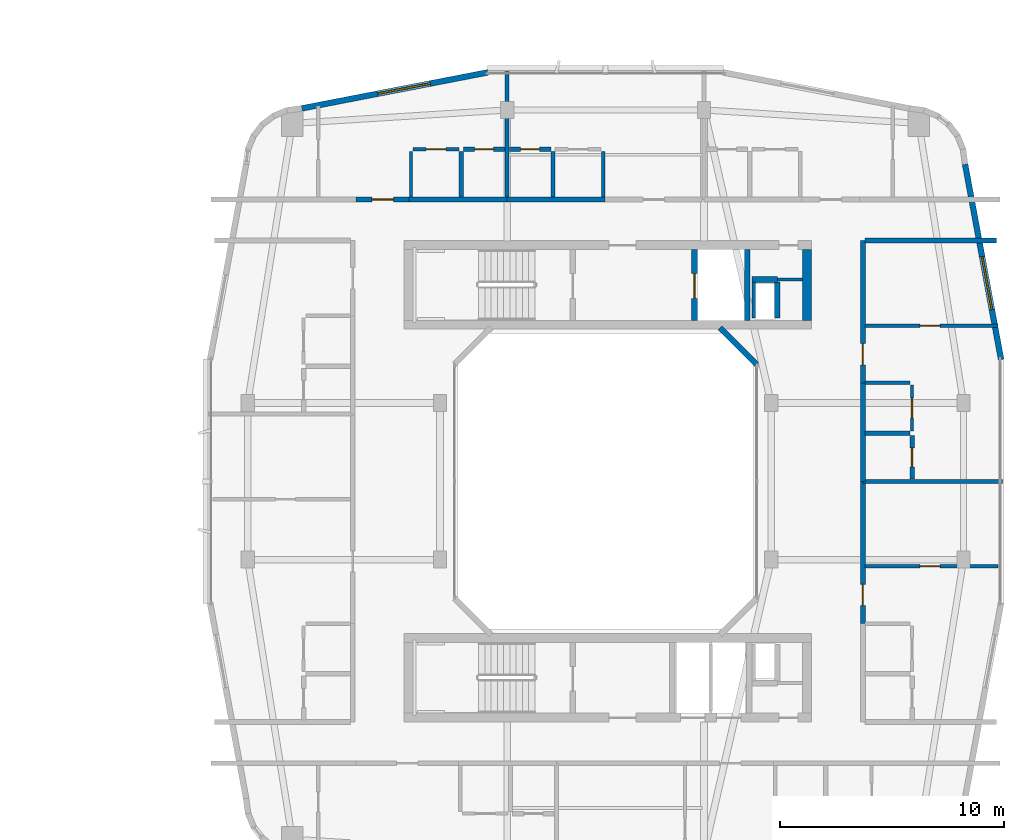
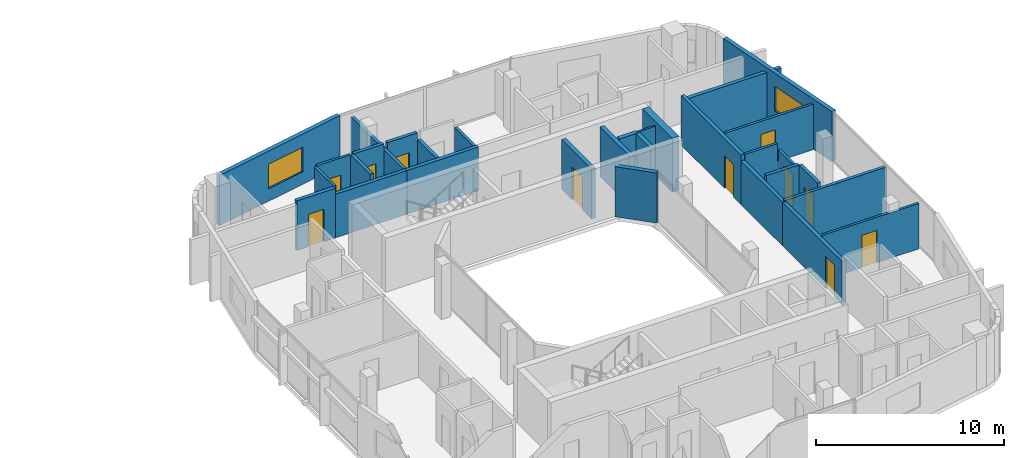
# One storey, part 19 of 26: 32 walls, 11 doors, 2 windows, 13 openings.
"""IFC4 building model written with IfcOpenShell, lengths in metres."""

import ifcopenshell
import ifcopenshell.guid

model = None  # the IFC model being written
_history = None  # IfcOwnerHistory: only IFC2X3 demands one
_inside = {}  # id of a spatial element -> (the spatial element, [elements in it])
_under = {}  # id of a project, library or spatial element -> (it, [spatial elements below it])
_declared = {}  # id of a project -> (the project, [libraries it declares])
_typed = {}  # id of a type object -> (the type object, [elements of that type])
_made_of = {}  # id of a material, layer set ... -> (it, [elements and type objects made of it])


def new_model(schema):
    """Start an empty IFC model of exactly this schema.

    Asked for "IFC4X3", IfcOpenShell would pick the latest addendum, in which some entities
    have other attributes; the version numbers below select the first issue.
    IFC2X3 requires an IfcOwnerHistory on every rooted entity: one is made here for all.
    """
    global model, _history
    if schema == "IFC4X3":
        model = ifcopenshell.file(schema_version=(4, 3, 0, 0))
    else:
        model = ifcopenshell.file(schema=schema)
    _inside.clear()
    _under.clear()
    _declared.clear()
    _typed.clear()
    _made_of.clear()
    _history = None
    if model.schema == "IFC2X3":
        org = make("IfcOrganization", Name="unknown")
        user = make(
            "IfcPersonAndOrganization",
            ThePerson=make("IfcPerson", FamilyName="unknown"),
            TheOrganization=org,
        )
        app = make(
            "IfcApplication",
            ApplicationDeveloper=org,
            Version="unknown",
            ApplicationFullName="unknown",
            ApplicationIdentifier="unknown",
        )
        _history = make(
            "IfcOwnerHistory",
            OwningUser=user,
            OwningApplication=app,
            ChangeAction="ADDED",
            CreationDate=0,
        )
    return model


def make(cls, **values):
    """One entity of the class cls with the attributes given. An attribute that is None is left unset."""
    return model.create_entity(
        cls, **{name: value for name, value in values.items() if value is not None}
    )


def rooted(cls, **values):
    """An entity with a GlobalId (a new one), such as an element, a storey or a relation."""
    return make(cls, GlobalId=ifcopenshell.guid.new(), OwnerHistory=_history, **values)


def si_unit(unit_type, name, prefix=None):
    """IfcSIUnit, for example si_unit("LENGTHUNIT", "METRE", prefix="MILLI")."""
    return make("IfcSIUnit", UnitType=unit_type, Prefix=prefix, Name=name)


def derived_unit(unit_type, elements):
    """IfcDerivedUnit: a product of units, each with its exponent."""
    return make(
        "IfcDerivedUnit",
        Elements=[
            make("IfcDerivedUnitElement", Unit=unit, Exponent=power)
            for unit, power in elements
        ],
        UnitType=unit_type,
    )


def assignment(units):
    """IfcUnitAssignment: the units of a project."""
    return None if units is None else make("IfcUnitAssignment", Units=units)


def point(xyz):
    """IfcCartesianPoint."""
    return None if xyz is None else make("IfcCartesianPoint", Coordinates=xyz)


def direction(xyz):
    """IfcDirection."""
    return None if xyz is None else make("IfcDirection", DirectionRatios=xyz)


def frame(location, z_axis=None, x_axis=None):
    """IfcAxis2Placement3D, a coordinate frame: its origin and axes. An axis left out is left unset."""
    return make(
        "IfcAxis2Placement3D",
        Location=point(location),
        Axis=direction(z_axis),
        RefDirection=direction(x_axis),
    )


def frame_2d(location, x_axis=None):
    """IfcAxis2Placement2D, a coordinate frame in the plane: its origin and x axis."""
    return make(
        "IfcAxis2Placement2D", Location=point(location), RefDirection=direction(x_axis)
    )


def origin():
    """The frame at (0, 0, 0) with its axes left unset."""
    return frame((0.0, 0.0, 0.0))


def place(relative_to, where):
    """IfcLocalPlacement: puts the frame where relative to a parent placement (None: the world)."""
    return make(
        "IfcLocalPlacement", PlacementRelTo=relative_to, RelativePlacement=where
    )


def context(
    kind, dimensions, precision=None, world=None, true_north=None, identifier=None
):
    """IfcGeometricRepresentationContext, for example the 3D "Model" context."""
    return make(
        "IfcGeometricRepresentationContext",
        ContextIdentifier=identifier,
        ContextType=kind,
        CoordinateSpaceDimension=dimensions,
        Precision=precision,
        WorldCoordinateSystem=world,
        TrueNorth=true_north,
    )


def subcontext(parent, identifier, kind, view, scale=None):
    """IfcGeometricRepresentationSubContext, for example "Body" below "Model"."""
    return make(
        "IfcGeometricRepresentationSubContext",
        ContextIdentifier=identifier,
        ContextType=kind,
        ParentContext=parent,
        TargetScale=scale,
        TargetView=view,
    )


def project(units=None, contexts=None):
    """IfcProject with its units and contexts."""
    return rooted(
        "IfcProject",
        Name="project",
        RepresentationContexts=contexts,
        UnitsInContext=assignment(units),
    )


def spatial(cls, under=None, at=None, **own):
    """A site, building, storey or space (cls), placed at a placement, below another one or the project."""
    s = rooted(cls, ObjectPlacement=at, **own)
    if under is not None:
        _under.setdefault(under.id(), (under, []))[1].append(s)
    return s


def profile(cls, at=None, kind="AREA", **sizes):
    """A parametric profile (cls). Its sizes go by their IFC names, for example OverallWidth=200.0."""
    return make(cls, ProfileType=kind, Position=at, **sizes)


def rectangle(**sizes):
    """IfcRectangleProfileDef."""
    return profile("IfcRectangleProfileDef", **sizes)


def extrude(swept, where, along, depth):
    """IfcExtrudedAreaSolid: the profile swept, set in the frame where, extruded along a direction by depth."""
    return make(
        "IfcExtrudedAreaSolid",
        SweptArea=swept,
        Position=where,
        ExtrudedDirection=direction(along),
        Depth=depth,
    )


def shape(context_of_items, identifier, shape_type, items):
    """IfcShapeRepresentation: the items that make up one representation, for example the "Body"."""
    return make(
        "IfcShapeRepresentation",
        ContextOfItems=context_of_items,
        RepresentationIdentifier=identifier,
        RepresentationType=shape_type,
        Items=items,
    )


def material(Name=None, Category=None):
    """IfcMaterial."""
    return make("IfcMaterial", Name=Name, Category=Category)


def layer(
    of_material, thickness, ventilated=None, Name=None, Category=None, Priority=None
):
    """IfcMaterialLayer: one layer of a wall or slab, of a material (None: an air gap)."""
    return make(
        "IfcMaterialLayer",
        Material=of_material,
        LayerThickness=thickness,
        IsVentilated=ventilated,
        Name=Name,
        Category=Category,
        Priority=Priority,
    )


def layer_set(layers, Name=None):
    """IfcMaterialLayerSet."""
    return make("IfcMaterialLayerSet", MaterialLayers=layers, LayerSetName=Name)


def made_of(thing, what):
    """Note that an element or type object is made of a material, layer set ...; save() writes the relation."""
    if what is not None:
        _made_of.setdefault(what.id(), (what, []))[1].append(thing)
    return thing


def type_object(cls, material=None, **own):
    """A type object (cls), such as IfcWallType, which elements share."""
    return made_of(rooted(cls, **own), material)


def element(
    cls,
    number,
    at=None,
    inside=None,
    cuts=None,
    type_object=None,
    material=None,
    context=None,
    identifier="Body",
    shape_type=None,
    held_by="IfcProductDefinitionShape",
    body=None,
    shapes=None,
    **own,
):
    """One element of the class cls, such as IfcWall. Its Tag is "e" and its number.

    at: its placement. inside: the storey or other place that contains it. cuts: it is an
    opening in that element (IfcRelVoidsElement). A single representation is given by context,
    identifier, shape_type and body (its items); several are given by shapes. held_by: the class
    of the entity that holds the representations. save() writes the other relations.
    """
    e = rooted(cls, Tag="e%d" % number, ObjectPlacement=at, **own)
    if body is not None:
        shapes = [shape(context, identifier, shape_type, body)]
    if shapes is not None:
        e.Representation = make(held_by, Representations=shapes)
    if inside is not None:
        _inside.setdefault(inside.id(), (inside, []))[1].append(e)
    if cuts is not None:
        rooted(
            "IfcRelVoidsElement", RelatingBuildingElement=cuts, RelatedOpeningElement=e
        )
    if type_object is not None:
        _typed.setdefault(type_object.id(), (type_object, []))[1].append(e)
    return made_of(e, material)


def fill(opening, filler):
    """IfcRelFillsElement: the door or window that sits in an opening."""
    return rooted(
        "IfcRelFillsElement",
        RelatingOpeningElement=opening,
        RelatedBuildingElement=filler,
    )


def aggregate(whole, parts):
    """IfcRelAggregates: a whole, such as a stair, and the parts it consists of."""
    return rooted("IfcRelAggregates", RelatingObject=whole, RelatedObjects=parts)


def save(model, path):
    """Write the relations noted so far, then the file.

    IfcRelAggregates (storeys below a building ...), IfcRelContainedInSpatialStructure (elements
    in a storey), IfcRelDefinesByType, IfcRelAssociatesMaterial and IfcRelDeclares: one each for
    every whole, place, type object, material and project.
    """
    for whole, parts in _under.values():
        aggregate(whole, parts)
    for where, things in _inside.values():
        rooted(
            "IfcRelContainedInSpatialStructure",
            RelatedElements=things,
            RelatingStructure=where,
        )
    for kind, things in _typed.values():
        rooted("IfcRelDefinesByType", RelatedObjects=things, RelatingType=kind)
    for what, things in _made_of.values():
        rooted("IfcRelAssociatesMaterial", RelatedObjects=things, RelatingMaterial=what)
    for by, libraries in _declared.values():
        rooted("IfcRelDeclares", RelatingContext=by, RelatedDefinitions=libraries)
    model.write(path)


model = new_model("IFC4")

# Units and contexts
model_context = context("Model", 3, precision=1e-05, world=origin(), true_north=direction((0.0, 1.0)))
body_context = subcontext(model_context, "Body", "Model", "MODEL_VIEW")
ifc_project = project(units=[si_unit("LENGTHUNIT", "METRE"), si_unit("AREAUNIT", "SQUARE_METRE"), si_unit("VOLUMEUNIT", "CUBIC_METRE"), si_unit("PLANEANGLEUNIT", "RADIAN"), si_unit("MASSUNIT", "GRAM", prefix="KILO"), derived_unit("THERMALTRANSMITTANCEUNIT", [(si_unit("POWERUNIT", "WATT"), 1), (si_unit("LENGTHUNIT", "METRE"), -2), (si_unit("THERMODYNAMICTEMPERATUREUNIT", "KELVIN"), -1)])], contexts=[model_context])

# Site, building, storey
site_placement = place(None, origin())
site = spatial("IfcSite", under=ifc_project, at=site_placement, CompositionType="ELEMENT")
building_placement = place(site_placement, origin())
building = spatial("IfcBuilding", under=site, at=building_placement, Name="Kivonza Crest Hotel", CompositionType="ELEMENT")
storey_placement = place(building_placement, frame((0.0, 0.0, 102.0)))
storey = spatial("IfcBuildingStorey", under=building, at=storey_placement, Name="L27", CompositionType="ELEMENT", Elevation=102.0)

# Walls
ifc_material_1 = material(Name="High-density acoustic masonry inter-tenancy wall", Category="masonry")
ifc_layer_1 = layer(ifc_material_1, 0.179931640625)
ifc_layer_set_1 = layer_set([ifc_layer_1], Name="High-density acoustic masonry inter-tenancy wall")
wall_type_1 = type_object("IfcWallType", Name="WL-ACOU-180", PredefinedType="SOLIDWALL", material=ifc_layer_set_1)
wall_1_placement = place(storey_placement, frame((72.60009765625, 37.60009765625, 0.0), z_axis=(0.0, 0.0, 1.0), x_axis=(0.0, 1.0, 0.0)))
element("IfcWall", 1, at=wall_1_placement, inside=storey, type_object=wall_type_1, Name="L27 interior partition WA-L27-T2N-DIV1", PredefinedType="SOLIDWALL", context=body_context, shape_type="SweptSolid", body=[
    extrude(rectangle(XDim=5.739990234375, YDim=0.179931640625, at=frame_2d((2.8701171875, 0.0))), origin(), (0.0, 0.0, 1.0), 2.824951171875),
])
wall_2_placement = place(storey_placement, frame((88.5, 25.0, 0.0), z_axis=(0.0, 0.0, 1.0), x_axis=(1.0, 0.0, 0.0)))
element("IfcWall", 2, at=wall_2_placement, inside=storey, type_object=wall_type_1, Name="L27 interior partition WA-L27-T2E-DIV1", PredefinedType="SOLIDWALL", context=body_context, shape_type="SweptSolid", body=[
    extrude(rectangle(XDim=6.239990234375, YDim=0.179931640625, at=frame_2d((3.1201171875, 0.0))), origin(), (0.0, 0.0, 1.0), 2.945068359375),
])
ifc_material_2 = material(Name="Autoclaved aerated concrete blockwork", Category="masonry")
ifc_layer_2 = layer(ifc_material_2, 0.219970703125)
ifc_layer_set_2 = layer_set([ifc_layer_2], Name="Autoclaved aerated concrete blockwork")
wall_type_2 = type_object("IfcWallType", Name="WL-ACOU-220", PredefinedType="SOLIDWALL", material=ifc_layer_set_2)
wall_3_placement = place(storey_placement, frame((68.219970703125, 37.60009765625, 0.0), z_axis=(0.0, 0.0, 1.0), x_axis=(1.0, 0.0, 0.0)))
element("IfcWall", 3, at=wall_3_placement, inside=storey, type_object=wall_type_2, Name="L27 interior partition WA-L27-A01-RCORR", PredefinedType="SOLIDWALL", context=body_context, shape_type="SweptSolid", body=[
    extrude(rectangle(XDim=4.380126953125, YDim=0.219970703125, at=frame_2d((2.18994140625, 0.0))), origin(), (0.0, 0.0, 1.0), 2.824951171875),
])

# Wall, opening, door
wall_4_placement = place(storey_placement, frame((65.85009765625, 37.60009765625, 0.0), z_axis=(0.0, 0.0, 1.0), x_axis=(1.0, 0.0, 0.0)))
wall_4 = element("IfcWall", 4, at=wall_4_placement, inside=storey, type_object=wall_type_2, Name="L27 interior partition WA-L27-A01-MCORR", PredefinedType="SOLIDWALL", context=body_context, shape_type="SweptSolid", body=[
    extrude(rectangle(XDim=2.369873046875, YDim=0.219970703125, at=frame_2d((1.18505859375, 0.0))), origin(), (0.0, 0.0, 1.0), 3.219970703125),
])
opening_1_placement = place(wall_4_placement, frame((0.7099609375, 0.0, 0.0)))
opening_1 = element("IfcOpeningElement", 5, at=opening_1_placement, cuts=wall_4, Name="Opening DU-60", PredefinedType="OPENING", context=body_context, shape_type="SweptSolid", body=[
    extrude(rectangle(XDim=0.949951171875, YDim=2.10009765625, at=frame_2d((0.47509765625, 1.050048828125))), frame((0.0, 0.1201171875, 0.0), z_axis=(0.0, -1.0, 0.0), x_axis=(1.0, 0.0, 0.0)), (0.0, 0.0, 1.0), 0.239990234375),
])
ifc_material_3 = material(Name="Hardwood timber oak", Category="wood")
door_type_1 = type_object("IfcDoorType", Name="DR-UNIT-950", OperationType="NOTDEFINED", PredefinedType="DOOR", material=ifc_material_3)
door_1_placement = place(opening_1_placement, origin())
door_1 = element("IfcDoor", 6, at=door_1_placement, inside=storey, type_object=door_type_1, Name="L27 A01 apartment entrance fire door", OperationType="SINGLE_SWING_LEFT", OverallHeight=2.10009765625, OverallWidth=0.949951171875, PredefinedType="DOOR", context=body_context, shape_type="SweptSolid", body=[
    extrude(rectangle(XDim=0.949951171875, YDim=2.10009765625, at=frame_2d((0.47509765625, 1.050048828125))), frame((0.0, 0.02490234375, 0.0), z_axis=(0.0, -1.0, 0.0), x_axis=(1.0, 0.0, 0.0)), (0.0, 0.0, 1.0), 0.050048828125),
])
fill(opening_1, door_1)

# Walls
wall_5_placement = place(storey_placement, frame((72.60009765625, 37.60009765625, 0.0), z_axis=(0.0, 0.0, 1.0), x_axis=(1.0, 0.0, 0.0)))
element("IfcWall", 7, at=wall_5_placement, inside=storey, type_object=wall_type_2, Name="L27 interior partition WA-L27-A02-LCORR", PredefinedType="SOLIDWALL", context=body_context, shape_type="SweptSolid", body=[
    extrude(rectangle(XDim=4.3798828125, YDim=0.219970703125, at=frame_2d((2.18994140625, 0.0))), origin(), (0.0, 0.0, 1.0), 2.824951171875),
])
wall_6_placement = place(storey_placement, frame((88.60009765625, 35.760009765625, 0.0), z_axis=(0.0, 0.0, 1.0), x_axis=(1.0, 0.0, 0.0)))
element("IfcWall", 8, at=wall_6_placement, inside=storey, type_object=wall_type_2, Name="L27 interior partition WA-L27-T2E-ENDN", PredefinedType="SOLIDWALL", context=body_context, shape_type="SweptSolid", body=[
    extrude(rectangle(XDim=5.8798828125, YDim=0.219970703125, at=frame_2d((2.93994140625, 0.0))), origin(), (0.0, 0.0, 1.0), 2.945068359375),
])

# Wall, opening, door
wall_7_placement = place(storey_placement, frame((88.5, 18.639892578125, 0.0), z_axis=(0.0, 0.0, 1.0), x_axis=(0.0, 1.0, 0.0)))
wall_7 = element("IfcWall", 9, at=wall_7_placement, inside=storey, type_object=wall_type_2, Name="L27 interior partition WA-L27-A08-MCORR", PredefinedType="SOLIDWALL", context=body_context, shape_type="SweptSolid", body=[
    extrude(rectangle(XDim=6.360107421875, YDim=0.219970703125, at=frame_2d((3.18017578125, 0.0))), origin(), (0.0, 0.0, 1.0), 2.824951171875),
])
opening_2_placement = place(wall_7_placement, frame((0.804931640625, 0.0, 0.0)))
opening_2 = element("IfcOpeningElement", 10, at=opening_2_placement, cuts=wall_7, Name="Opening DU-60", PredefinedType="OPENING", context=body_context, shape_type="SweptSolid", body=[
    extrude(rectangle(XDim=0.949951171875, YDim=2.10009765625, at=frame_2d((0.47509765625, 1.050048828125))), frame((0.0, 0.1201171875, 0.0), z_axis=(0.0, -1.0, 0.0), x_axis=(1.0, 0.0, 0.0)), (0.0, 0.0, 1.0), 0.239990234375),
])
door_2_placement = place(opening_2_placement, frame((0.949951171875, 0.0, 0.0), z_axis=(0.0, 0.0, 1.0), x_axis=(-1.0, 0.0, 0.0)))
door_2 = element("IfcDoor", 11, at=door_2_placement, inside=storey, type_object=door_type_1, Name="L27 A08 apartment entrance fire door", OperationType="SINGLE_SWING_RIGHT", OverallHeight=2.10009765625, OverallWidth=0.949951171875, PredefinedType="DOOR", context=body_context, shape_type="SweptSolid", body=[
    extrude(rectangle(XDim=0.949951171875, YDim=2.10009765625, at=frame_2d((0.47509765625, 1.050048828125))), frame((0.0, 0.02490234375, 0.0), z_axis=(0.0, -1.0, 0.0), x_axis=(1.0, 0.0, 0.0)), (0.0, 0.0, 1.0), 0.050048828125),
])
fill(opening_2, door_2)

# Wall
wall_8_placement = place(storey_placement, frame((88.5, 25.0, 0.0), z_axis=(0.0, 0.0, 1.0), x_axis=(0.0, 1.0, 0.0)))
element("IfcWall", 12, at=wall_8_placement, inside=storey, type_object=wall_type_2, Name="L27 interior partition WA-L27-A09-BCORR", PredefinedType="SOLIDWALL", context=body_context, shape_type="SweptSolid", body=[
    extrude(rectangle(XDim=4.39990234375, YDim=0.219970703125, at=frame_2d((2.199951171875, 0.0))), origin(), (0.0, 0.0, 1.0), 2.824951171875),
])

# Wall, opening, door
wall_9_placement = place(storey_placement, frame((88.5, 29.39990234375, 0.0), z_axis=(0.0, 0.0, 1.0), x_axis=(0.0, 1.0, 0.0)))
wall_9 = element("IfcWall", 13, at=wall_9_placement, inside=storey, type_object=wall_type_2, Name="L27 interior partition WA-L27-A09-MCORR", PredefinedType="SOLIDWALL", context=body_context, shape_type="SweptSolid", body=[
    extrude(rectangle(XDim=6.360107421875, YDim=0.219970703125, at=frame_2d((3.18017578125, 0.0))), origin(), (0.0, 0.0, 1.0), 3.219970703125),
])
opening_3_placement = place(wall_9_placement, frame((0.804931640625, 0.0, 0.0)))
opening_3 = element("IfcOpeningElement", 14, at=opening_3_placement, cuts=wall_9, Name="Opening DU-60", PredefinedType="OPENING", context=body_context, shape_type="SweptSolid", body=[
    extrude(rectangle(XDim=0.949951171875, YDim=2.10009765625, at=frame_2d((0.47509765625, 1.050048828125))), frame((0.0, 0.1201171875, 0.0), z_axis=(0.0, -1.0, 0.0), x_axis=(1.0, 0.0, 0.0)), (0.0, 0.0, 1.0), 0.239990234375),
])
door_3_placement = place(opening_3_placement, frame((0.949951171875, 0.0, 0.0), z_axis=(0.0, 0.0, 1.0), x_axis=(-1.0, 0.0, 0.0)))
door_3 = element("IfcDoor", 15, at=door_3_placement, inside=storey, type_object=door_type_1, Name="L27 A09 apartment entrance fire door", OperationType="SINGLE_SWING_LEFT", OverallHeight=2.10009765625, OverallWidth=0.949951171875, PredefinedType="DOOR", context=body_context, shape_type="SweptSolid", body=[
    extrude(rectangle(XDim=0.949951171875, YDim=2.10009765625, at=frame_2d((0.47509765625, 1.050048828125))), frame((0.0, 0.02490234375, 0.0), z_axis=(0.0, -1.0, 0.0), x_axis=(1.0, 0.0, 0.0)), (0.0, 0.0, 1.0), 0.050048828125),
])
fill(opening_3, door_3)

# Wall
ifc_material_4 = material(Name="Concrete C50/60", Category="concrete")
ifc_layer_3 = layer(ifc_material_4, 0.39990234375)
ifc_layer_set_3 = layer_set([ifc_layer_3], Name="Concrete C50/60")
wall_type_3 = type_object("IfcWallType", Name="WL-CORE-400", PredefinedType="SHEAR", material=ifc_layer_set_3)
wall_10_placement = place(storey_placement, frame((86.0, 32.199951171875, 0.0), z_axis=(0.0, 0.0, 1.0), x_axis=(0.0, 1.0, 0.0)))
element("IfcWall", 16, at=wall_10_placement, inside=storey, type_object=wall_type_3, Name="Core wall T2-N East L27", PredefinedType="SHEAR", context=body_context, shape_type="SweptSolid", body=[
    extrude(rectangle(XDim=3.16015625, YDim=0.39990234375, at=frame_2d((1.580078125, 0.0))), origin(), (0.0, 0.0, 1.0), 3.5),
])

# Wall, opening, window
ifc_material_5 = material(Name="Precast concrete C40/50", Category="concrete")
ifc_layer_4 = layer(ifc_material_5, 0.260009765625)
ifc_layer_set_4 = layer_set([ifc_layer_4], Name="Precast concrete C40/50")
wall_type_4 = type_object("IfcWallType", Name="WL-EXT-260", PredefinedType="STANDARD", material=ifc_layer_set_4)
wall_11_placement = place(storey_placement, frame((94.681884765625, 30.44189453125, 0.0), z_axis=(0.0, 0.0, 1.0), x_axis=(-0.181209963057, 0.983444431215, 0.0)))
wall_11 = element("IfcWall", 17, at=wall_11_placement, inside=storey, type_object=wall_type_4, Name="L27 T2 exterior insulated wall 18", PredefinedType="STANDARD", context=body_context, shape_type="SweptSolid", body=[
    extrude(rectangle(XDim=8.889404296875, YDim=0.260009765625, at=frame_2d((4.44482421875, 0.0))), origin(), (0.0, 0.0, 1.0), 3.25),
])
opening_4_placement = place(wall_11_placement, frame((2.27587890625, 0.0, 0.800048828125)))
opening_4 = element("IfcOpeningElement", 18, at=opening_4_placement, cuts=wall_11, Name="Opening WN-05", PredefinedType="OPENING", context=body_context, shape_type="SweptSolid", body=[
    extrude(rectangle(XDim=2.39990234375, YDim=1.60009765625, at=frame_2d((1.199951171875, 0.800048828125))), frame((0.0, 0.14013671875, 0.0), z_axis=(0.0, -1.0, 0.0), x_axis=(1.0, 0.0, 0.0)), (0.0, 0.0, 1.0), 0.280029296875),
])
ifc_material_6 = material(Name="Thermally broken bronze aluminium and low-E double glazing", Category="aluminium")
window_type = type_object("IfcWindowType", Name="WN-240x160", PartitioningType="TRIPLE_PANEL_VERTICAL", PredefinedType="WINDOW", material=ifc_material_6)
window_1_placement = place(opening_4_placement, origin())
window_1 = element("IfcWindow", 19, at=window_1_placement, inside=storey, type_object=window_type, Name="L27 T2 facade window 18", OverallHeight=1.60009765625, OverallWidth=2.39990234375, PartitioningType="SINGLE_PANEL", PredefinedType="WINDOW", context=body_context, shape_type="SweptSolid", body=[
    extrude(rectangle(XDim=2.39990234375, YDim=1.60009765625, at=frame_2d((1.199951171875, 0.800048828125))), frame((0.0, 0.030029296875, 0.0), z_axis=(0.0, -1.0, 0.0), x_axis=(1.0, 0.0, 0.0)), (0.0, 0.0, 1.0), 0.06005859375),
])
fill(opening_4, window_1)

wall_12_placement = place(storey_placement, frame((71.739013671875, 43.281982421875, 0.0), z_axis=(0.0, 0.0, 1.0), x_axis=(-0.981750199588, -0.190175039396, 0.0)))
wall_12 = element("IfcWall", 20, at=wall_12_placement, inside=storey, type_object=wall_type_4, Name="L27 T2 exterior insulated wall 27", PredefinedType="STANDARD", context=body_context, shape_type="SweptSolid", body=[
    extrude(rectangle(XDim=8.476806640625, YDim=0.260009765625, at=frame_2d((4.23828125, 0.0))), origin(), (0.0, 0.0, 1.0), 3.25),
])
opening_5_placement = place(wall_12_placement, frame((2.623046875, 0.0, 0.800048828125)))
opening_5 = element("IfcOpeningElement", 21, at=opening_5_placement, cuts=wall_12, Name="Opening WN-05", PredefinedType="OPENING", context=body_context, shape_type="SweptSolid", body=[
    extrude(rectangle(XDim=2.39990234375, YDim=1.60009765625, at=frame_2d((1.199951171875, 0.800048828125))), frame((0.0, 0.14013671875, 0.0), z_axis=(0.0, -1.0, 0.0), x_axis=(1.0, 0.0, 0.0)), (0.0, 0.0, 1.0), 0.280029296875),
])
window_2_placement = place(opening_5_placement, origin())
window_2 = element("IfcWindow", 22, at=window_2_placement, inside=storey, type_object=window_type, Name="L27 T2 facade window 27", OverallHeight=1.60009765625, OverallWidth=2.39990234375, PartitioningType="SINGLE_PANEL", PredefinedType="WINDOW", context=body_context, shape_type="SweptSolid", body=[
    extrude(rectangle(XDim=2.39990234375, YDim=1.60009765625, at=frame_2d((1.199951171875, 0.800048828125))), frame((0.0, 0.030029296875, 0.0), z_axis=(0.0, -1.0, 0.0), x_axis=(1.0, 0.0, 0.0)), (0.0, 0.0, 1.0), 0.06005859375),
])
fill(opening_5, window_2)

# Walls
wall_13_placement = place(storey_placement, frame((83.756103515625, 30.22802734375, 0.0), z_axis=(0.0, 0.0, 1.0), x_axis=(-0.707106781187, 0.707106781187, 0.0)))
element("IfcWall", 23, at=wall_13_placement, inside=storey, type_object=wall_type_4, Name="L27 T2 light-well exterior wall 4", PredefinedType="STANDARD", context=body_context, shape_type="SweptSolid", body=[
    extrude(rectangle(XDim=2.310791015625, YDim=0.260009765625, at=frame_2d((1.1552734375, 0.0))), origin(), (0.0, 0.0, 1.0), 3.25),
])
ifc_material_7 = material(Name="Concrete blockwork fire-compartment wall", Category="masonry")
ifc_layer_5 = layer(ifc_material_7, 0.25)
ifc_layer_set_5 = layer_set([ifc_layer_5], Name="Concrete blockwork fire-compartment wall")
wall_type_5 = type_object("IfcWallType", Name="WL-FIRE-250", PredefinedType="SOLIDWALL", material=ifc_layer_set_5)
wall_14_placement = place(storey_placement, frame((84.679931640625, 32.300048828125, 0.0), z_axis=(0.0, 0.0, 1.0), x_axis=(0.0, 1.0, 0.0)))
element("IfcWall", 24, at=wall_14_placement, inside=storey, type_object=wall_type_5, Name="L27 interior partition WA-L27-T2-N-MEPR-E", PredefinedType="SOLIDWALL", context=body_context, shape_type="SweptSolid", body=[
    extrude(rectangle(XDim=1.619873046875, YDim=0.25, at=frame_2d((0.81005859375, 0.0))), origin(), (0.0, 0.0, 1.0), 3.219970703125),
])
wall_15_placement = place(storey_placement, frame((83.550048828125, 34.02001953125, 0.0), z_axis=(0.0, 0.0, 1.0), x_axis=(1.0, 0.0, 0.0)))
element("IfcWall", 25, at=wall_15_placement, inside=storey, type_object=wall_type_5, Name="L27 interior partition WA-L27-T2-N-MEPR-H", PredefinedType="SOLIDWALL", context=body_context, shape_type="SweptSolid", body=[
    extrude(rectangle(XDim=1.1298828125, YDim=0.25, at=frame_2d((0.56494140625, 0.0))), origin(), (0.0, 0.0, 1.0), 3.219970703125),
])
ifc_material_8 = material(Name="Metal-stud gypsum board partition", Category="gypsum")
ifc_layer_6 = layer(ifc_material_8, 0.125)
ifc_layer_set_6 = layer_set([ifc_layer_6], Name="Metal-stud gypsum board partition")
wall_type_6 = type_object("IfcWallType", Name="WL-PART-125", PredefinedType="PARTITIONING", material=ifc_layer_set_6)
wall_16_placement = place(storey_placement, frame((84.679931640625, 34.02001953125, 0.0), z_axis=(0.0, 0.0, 1.0), x_axis=(1.0, 0.0, 0.0)))
element("IfcWall", 26, at=wall_16_placement, inside=storey, type_object=wall_type_6, Name="L27 interior partition WP-L27-T2-N-T2H", PredefinedType="PARTITIONING", context=body_context, shape_type="SweptSolid", body=[
    extrude(rectangle(XDim=1.1201171875, YDim=0.125, at=frame_2d((0.56005859375, 0.0))), origin(), (0.0, 0.0, 1.0), 3.219970703125),
])
ifc_material_9 = material(Name="Twin-stud acoustic gypsum board partition", Category="gypsum")
ifc_layer_7 = layer(ifc_material_9, 0.14990234375)
ifc_layer_set_7 = layer_set([ifc_layer_7], Name="Twin-stud acoustic gypsum board partition")
wall_type_7 = type_object("IfcWallType", Name="WL-PART-150", PredefinedType="PARTITIONING", material=ifc_layer_set_7)
wall_17_placement = place(storey_placement, frame((83.6298828125, 32.300048828125, 0.0), z_axis=(0.0, 0.0, 1.0), x_axis=(0.0, 1.0, 0.0)))
element("IfcWall", 27, at=wall_17_placement, inside=storey, type_object=wall_type_7, Name="L27 interior partition WA-L27-T2-N-MEPR-W", PredefinedType="PARTITIONING", context=body_context, shape_type="SweptSolid", body=[
    extrude(rectangle(XDim=1.619873046875, YDim=0.14990234375, at=frame_2d((0.81005859375, 0.0))), origin(), (0.0, 0.0, 1.0), 2.824951171875),
])
wall_18_placement = place(storey_placement, frame((68.300048828125, 37.699951171875, 0.0), z_axis=(0.0, 0.0, 1.0), x_axis=(0.0, 1.0, 0.0)))
element("IfcWall", 28, at=wall_18_placement, inside=storey, type_object=wall_type_7, Name="L27 interior partition WP-L27-A01-KF", PredefinedType="PARTITIONING", context=body_context, shape_type="SweptSolid", body=[
    extrude(rectangle(XDim=2.050048828125, YDim=0.14990234375, at=frame_2d((1.02490234375, 0.0))), origin(), (0.0, 0.0, 1.0), 3.219970703125),
])

# Wall, opening, door
wall_19_placement = place(storey_placement, frame((68.39990234375, 39.85009765625, 0.0), z_axis=(0.0, 0.0, 1.0), x_axis=(1.0, 0.0, 0.0)))
wall_19 = element("IfcWall", 29, at=wall_19_placement, inside=storey, type_object=wall_type_7, Name="L27 interior partition WP-L27-A01-KSVC", PredefinedType="PARTITIONING", context=body_context, shape_type="SweptSolid", body=[
    extrude(rectangle(XDim=2.050048828125, YDim=0.14990234375, at=frame_2d((1.02490234375, 0.0))), origin(), (0.0, 0.0, 1.0), 3.219970703125),
])
opening_6_placement = place(wall_19_placement, frame((0.574951171875, 0.0, 0.0)))
opening_6 = element("IfcOpeningElement", 30, at=opening_6_placement, cuts=wall_19, Name="Opening DI-90", PredefinedType="OPENING", context=body_context, shape_type="SweptSolid", body=[
    extrude(rectangle(XDim=0.89990234375, YDim=2.10009765625, at=frame_2d((0.449951171875, 1.050048828125))), frame((0.0, 0.0849609375, 0.0), z_axis=(0.0, -1.0, 0.0), x_axis=(1.0, 0.0, 0.0)), (0.0, 0.0, 1.0), 0.169921875),
])
door_type_2 = type_object("IfcDoorType", Name="DR-INT-900", OperationType="NOTDEFINED", PredefinedType="DOOR", material=ifc_material_3)
door_4_placement = place(opening_6_placement, origin())
door_4 = element("IfcDoor", 31, at=door_4_placement, inside=storey, type_object=door_type_2, Name="L27 A01 apartment kitchen door", OperationType="SINGLE_SWING_LEFT", OverallHeight=2.10009765625, OverallWidth=0.89990234375, PredefinedType="DOOR", context=body_context, shape_type="SweptSolid", body=[
    extrude(rectangle(XDim=0.89990234375, YDim=2.10009765625, at=frame_2d((0.449951171875, 1.050048828125))), frame((0.0, 0.02490234375, 0.0), z_axis=(0.0, -1.0, 0.0), x_axis=(1.0, 0.0, 0.0)), (0.0, 0.0, 1.0), 0.050048828125),
])
fill(opening_6, door_4)

# Wall
wall_20_placement = place(storey_placement, frame((76.89990234375, 37.699951171875, 0.0), z_axis=(0.0, 0.0, 1.0), x_axis=(0.0, 1.0, 0.0)))
element("IfcWall", 32, at=wall_20_placement, inside=storey, type_object=wall_type_7, Name="L27 interior partition WP-L27-A02-KF", PredefinedType="PARTITIONING", context=body_context, shape_type="SweptSolid", body=[
    extrude(rectangle(XDim=2.050048828125, YDim=0.14990234375, at=frame_2d((1.02490234375, 0.0))), origin(), (0.0, 0.0, 1.0), 2.77490234375),
])

# Wall, opening, door
wall_21_placement = place(storey_placement, frame((88.60009765625, 21.199951171875, 0.0), z_axis=(0.0, 0.0, 1.0), x_axis=(1.0, 0.0, 0.0)))
wall_21 = element("IfcWall", 33, at=wall_21_placement, inside=storey, type_object=wall_type_7, Name="L27 interior partition WP-L27-A08-BD1", PredefinedType="PARTITIONING", context=body_context, shape_type="SweptSolid", body=[
    extrude(rectangle(XDim=5.93994140625, YDim=0.14990234375, at=frame_2d((2.969970703125, 0.0))), origin(), (0.0, 0.0, 1.0), 2.945068359375),
])
opening_7_placement = place(wall_21_placement, frame((2.449951171875, 0.0, 0.0)))
opening_7 = element("IfcOpeningElement", 34, at=opening_7_placement, cuts=wall_21, Name="Opening DI-90", PredefinedType="OPENING", context=body_context, shape_type="SweptSolid", body=[
    extrude(rectangle(XDim=0.89990234375, YDim=2.10009765625, at=frame_2d((0.449951171875, 1.050048828125))), frame((0.0, 0.0849609375, 0.0), z_axis=(0.0, -1.0, 0.0), x_axis=(1.0, 0.0, 0.0)), (0.0, 0.0, 1.0), 0.169921875),
])
door_5_placement = place(opening_7_placement, origin())
door_5 = element("IfcDoor", 35, at=door_5_placement, inside=storey, type_object=door_type_2, Name="L27 A08 bedroom door", OperationType="SINGLE_SWING_LEFT", OverallHeight=2.10009765625, OverallWidth=0.89990234375, PredefinedType="DOOR", context=body_context, shape_type="SweptSolid", body=[
    extrude(rectangle(XDim=0.89990234375, YDim=2.10009765625, at=frame_2d((0.449951171875, 1.050048828125))), frame((0.0, 0.02490234375, 0.0), z_axis=(0.0, -1.0, 0.0), x_axis=(1.0, 0.0, 0.0)), (0.0, 0.0, 1.0), 0.050048828125),
])
fill(opening_7, door_5)

wall_22_placement = place(storey_placement, frame((88.60009765625, 31.9599609375, 0.0), z_axis=(0.0, 0.0, 1.0), x_axis=(1.0, 0.0, 0.0)))
wall_22 = element("IfcWall", 36, at=wall_22_placement, inside=storey, type_object=wall_type_7, Name="L27 interior partition WP-L27-A09-BD1", PredefinedType="PARTITIONING", context=body_context, shape_type="SweptSolid", body=[
    extrude(rectangle(XDim=5.93994140625, YDim=0.14990234375, at=frame_2d((2.969970703125, 0.0))), origin(), (0.0, 0.0, 1.0), 2.945068359375),
])
opening_8_placement = place(wall_22_placement, frame((2.449951171875, 0.0, 0.0)))
opening_8 = element("IfcOpeningElement", 37, at=opening_8_placement, cuts=wall_22, Name="Opening DI-90", PredefinedType="OPENING", context=body_context, shape_type="SweptSolid", body=[
    extrude(rectangle(XDim=0.89990234375, YDim=2.10009765625, at=frame_2d((0.449951171875, 1.050048828125))), frame((0.0, 0.0849609375, 0.0), z_axis=(0.0, -1.0, 0.0), x_axis=(1.0, 0.0, 0.0)), (0.0, 0.0, 1.0), 0.169921875),
])
door_6_placement = place(opening_8_placement, origin())
door_6 = element("IfcDoor", 38, at=door_6_placement, inside=storey, type_object=door_type_2, Name="L27 A09 bedroom door", OperationType="SINGLE_SWING_RIGHT", OverallHeight=2.10009765625, OverallWidth=0.89990234375, PredefinedType="DOOR", context=body_context, shape_type="SweptSolid", body=[
    extrude(rectangle(XDim=0.89990234375, YDim=2.10009765625, at=frame_2d((0.449951171875, 1.050048828125))), frame((0.0, 0.02490234375, 0.0), z_axis=(0.0, -1.0, 0.0), x_axis=(1.0, 0.0, 0.0)), (0.0, 0.0, 1.0), 0.050048828125),
])
fill(opening_8, door_6)

# Wall
wall_23_placement = place(storey_placement, frame((88.60009765625, 29.39990234375, 0.0), z_axis=(0.0, 0.0, 1.0), x_axis=(1.0, 0.0, 0.0)))
element("IfcWall", 39, at=wall_23_placement, inside=storey, type_object=wall_type_7, Name="L27 interior partition WP-L27-A09-KF", PredefinedType="PARTITIONING", context=body_context, shape_type="SweptSolid", body=[
    extrude(rectangle(XDim=2.0, YDim=0.14990234375, at=frame_2d((1.0, 0.0))), origin(), (0.0, 0.0, 1.0), 3.219970703125),
])

# Wall, opening, door
wall_24_placement = place(storey_placement, frame((90.699951171875, 27.25, 0.0), z_axis=(0.0, 0.0, 1.0), x_axis=(0.0, 1.0, 0.0)))
wall_24 = element("IfcWall", 40, at=wall_24_placement, inside=storey, type_object=wall_type_7, Name="L27 interior partition WP-L27-A09-KSVC", PredefinedType="PARTITIONING", context=body_context, shape_type="SweptSolid", body=[
    extrude(rectangle(XDim=2.050048828125, YDim=0.14990234375, at=frame_2d((1.02490234375, 0.0))), origin(), (0.0, 0.0, 1.0), 2.824951171875),
])
opening_9_placement = place(wall_24_placement, frame((0.574951171875, 0.0, 0.0)))
opening_9 = element("IfcOpeningElement", 41, at=opening_9_placement, cuts=wall_24, Name="Opening DI-90", PredefinedType="OPENING", context=body_context, shape_type="SweptSolid", body=[
    extrude(rectangle(XDim=0.89990234375, YDim=2.10009765625, at=frame_2d((0.449951171875, 1.050048828125))), frame((0.0, 0.0849609375, 0.0), z_axis=(0.0, -1.0, 0.0), x_axis=(1.0, 0.0, 0.0)), (0.0, 0.0, 1.0), 0.169921875),
])
door_7_placement = place(opening_9_placement, frame((0.89990234375, 0.0, 0.0), z_axis=(0.0, 0.0, 1.0), x_axis=(-1.0, 0.0, 0.0)))
door_7 = element("IfcDoor", 42, at=door_7_placement, inside=storey, type_object=door_type_2, Name="L27 A09 apartment kitchen door", OperationType="SINGLE_SWING_LEFT", OverallHeight=2.10009765625, OverallWidth=0.89990234375, PredefinedType="DOOR", context=body_context, shape_type="SweptSolid", body=[
    extrude(rectangle(XDim=0.89990234375, YDim=2.10009765625, at=frame_2d((0.449951171875, 1.050048828125))), frame((0.0, 0.02490234375, 0.0), z_axis=(0.0, -1.0, 0.0), x_axis=(1.0, 0.0, 0.0)), (0.0, 0.0, 1.0), 0.050048828125),
])
fill(opening_9, door_7)

# Wall
ifc_material_10 = material(Name="Moisture-resistant plumbing chase partition wall", Category="gypsum")
ifc_layer_8 = layer(ifc_material_10, 0.199951171875)
ifc_layer_set_8 = layer_set([ifc_layer_8], Name="Moisture-resistant plumbing chase partition wall")
wall_type_8 = type_object("IfcWallType", Name="WL-PLUMB-200", PredefinedType="PLUMBINGWALL", material=ifc_layer_set_8)
wall_25_placement = place(storey_placement, frame((70.550048828125, 37.699951171875, 0.0), z_axis=(0.0, 0.0, 1.0), x_axis=(0.0, 1.0, 0.0)))
element("IfcWall", 43, at=wall_25_placement, inside=storey, type_object=wall_type_8, Name="L27 interior partition WW-L27-A01-BK", PredefinedType="PLUMBINGWALL", context=body_context, shape_type="SweptSolid", body=[
    extrude(rectangle(XDim=2.050048828125, YDim=0.199951171875, at=frame_2d((1.02490234375, 0.0))), origin(), (0.0, 0.0, 1.0), 3.219970703125),
])

# Wall, opening, door
wall_26_placement = place(storey_placement, frame((70.64990234375, 39.85009765625, 0.0), z_axis=(0.0, 0.0, 1.0), x_axis=(1.0, 0.0, 0.0)))
wall_26 = element("IfcWall", 44, at=wall_26_placement, inside=storey, type_object=wall_type_8, Name="L27 interior partition WW-L27-A01-BSVC", PredefinedType="PLUMBINGWALL", context=body_context, shape_type="SweptSolid", body=[
    extrude(rectangle(XDim=1.85009765625, YDim=0.199951171875, at=frame_2d((0.925048828125, 0.0))), origin(), (0.0, 0.0, 1.0), 3.219970703125),
])
opening_10_placement = place(wall_26_placement, frame((0.5, 0.0, 0.0)))
opening_10 = element("IfcOpeningElement", 45, at=opening_10_placement, cuts=wall_26, Name="Opening DI-85", PredefinedType="OPENING", context=body_context, shape_type="SweptSolid", body=[
    extrude(rectangle(XDim=0.85009765625, YDim=2.10009765625, at=frame_2d((0.425048828125, 1.050048828125))), frame((0.0, 0.10986328125, 0.0), z_axis=(0.0, -1.0, 0.0), x_axis=(1.0, 0.0, 0.0)), (0.0, 0.0, 1.0), 0.219970703125),
])
door_type_3 = type_object("IfcDoorType", Name="DR-INT-850", OperationType="NOTDEFINED", PredefinedType="DOOR", material=ifc_material_3)
door_8_placement = place(opening_10_placement, origin())
door_8 = element("IfcDoor", 46, at=door_8_placement, inside=storey, type_object=door_type_3, Name="L27 A01 apartment bathroom door", OperationType="SINGLE_SWING_RIGHT", OverallHeight=2.10009765625, OverallWidth=0.85009765625, PredefinedType="DOOR", context=body_context, shape_type="SweptSolid", body=[
    extrude(rectangle(XDim=0.85009765625, YDim=2.10009765625, at=frame_2d((0.425048828125, 1.050048828125))), frame((0.0, 0.02490234375, 0.0), z_axis=(0.0, -1.0, 0.0), x_axis=(1.0, 0.0, 0.0)), (0.0, 0.0, 1.0), 0.050048828125),
])
fill(opening_10, door_8)

# Wall
wall_27_placement = place(storey_placement, frame((74.64990234375, 37.699951171875, 0.0), z_axis=(0.0, 0.0, 1.0), x_axis=(0.0, 1.0, 0.0)))
element("IfcWall", 47, at=wall_27_placement, inside=storey, type_object=wall_type_8, Name="L27 interior partition WW-L27-A02-BK", PredefinedType="PLUMBINGWALL", context=body_context, shape_type="SweptSolid", body=[
    extrude(rectangle(XDim=2.050048828125, YDim=0.199951171875, at=frame_2d((1.02490234375, 0.0))), origin(), (0.0, 0.0, 1.0), 2.77490234375),
])

# Wall, opening, door
wall_28_placement = place(storey_placement, frame((72.699951171875, 39.85009765625, 0.0), z_axis=(0.0, 0.0, 1.0), x_axis=(1.0, 0.0, 0.0)))
wall_28 = element("IfcWall", 48, at=wall_28_placement, inside=storey, type_object=wall_type_8, Name="L27 interior partition WW-L27-A02-BSVC", PredefinedType="PLUMBINGWALL", context=body_context, shape_type="SweptSolid", body=[
    extrude(rectangle(XDim=1.85009765625, YDim=0.199951171875, at=frame_2d((0.925048828125, 0.0))), origin(), (0.0, 0.0, 1.0), 3.219970703125),
])
opening_11_placement = place(wall_28_placement, frame((0.5, 0.0, 0.0)))
opening_11 = element("IfcOpeningElement", 49, at=opening_11_placement, cuts=wall_28, Name="Opening DI-85", PredefinedType="OPENING", context=body_context, shape_type="SweptSolid", body=[
    extrude(rectangle(XDim=0.85009765625, YDim=2.10009765625, at=frame_2d((0.425048828125, 1.050048828125))), frame((0.0, 0.10986328125, 0.0), z_axis=(0.0, -1.0, 0.0), x_axis=(1.0, 0.0, 0.0)), (0.0, 0.0, 1.0), 0.219970703125),
])
door_9_placement = place(opening_11_placement, origin())
door_9 = element("IfcDoor", 50, at=door_9_placement, inside=storey, type_object=door_type_3, Name="L27 A02 apartment bathroom door", OperationType="SINGLE_SWING_LEFT", OverallHeight=2.10009765625, OverallWidth=0.85009765625, PredefinedType="DOOR", context=body_context, shape_type="SweptSolid", body=[
    extrude(rectangle(XDim=0.85009765625, YDim=2.10009765625, at=frame_2d((0.425048828125, 1.050048828125))), frame((0.0, 0.02490234375, 0.0), z_axis=(0.0, -1.0, 0.0), x_axis=(1.0, 0.0, 0.0)), (0.0, 0.0, 1.0), 0.050048828125),
])
fill(opening_11, door_9)

# Wall
wall_29_placement = place(storey_placement, frame((88.60009765625, 27.14990234375, 0.0), z_axis=(0.0, 0.0, 1.0), x_axis=(1.0, 0.0, 0.0)))
element("IfcWall", 51, at=wall_29_placement, inside=storey, type_object=wall_type_8, Name="L27 interior partition WW-L27-A09-BK", PredefinedType="PLUMBINGWALL", context=body_context, shape_type="SweptSolid", body=[
    extrude(rectangle(XDim=2.0, YDim=0.199951171875, at=frame_2d((1.0, 0.0))), origin(), (0.0, 0.0, 1.0), 3.219970703125),
])

# Wall, opening, door
wall_30_placement = place(storey_placement, frame((90.699951171875, 25.10009765625, 0.0), z_axis=(0.0, 0.0, 1.0), x_axis=(0.0, 1.0, 0.0)))
wall_30 = element("IfcWall", 52, at=wall_30_placement, inside=storey, type_object=wall_type_8, Name="L27 interior partition WW-L27-A09-BSVC", PredefinedType="PLUMBINGWALL", context=body_context, shape_type="SweptSolid", body=[
    extrude(rectangle(XDim=1.949951171875, YDim=0.199951171875, at=frame_2d((0.97509765625, 0.0))), origin(), (0.0, 0.0, 1.0), 3.219970703125),
])
opening_12_placement = place(wall_30_placement, frame((0.550048828125, 0.0, 0.0)))
opening_12 = element("IfcOpeningElement", 53, at=opening_12_placement, cuts=wall_30, Name="Opening DI-85", PredefinedType="OPENING", context=body_context, shape_type="SweptSolid", body=[
    extrude(rectangle(XDim=0.85009765625, YDim=2.10009765625, at=frame_2d((0.425048828125, 1.050048828125))), frame((0.0, 0.10986328125, 0.0), z_axis=(0.0, -1.0, 0.0), x_axis=(1.0, 0.0, 0.0)), (0.0, 0.0, 1.0), 0.219970703125),
])
door_10_placement = place(opening_12_placement, frame((0.85009765625, 0.0, 0.0), z_axis=(0.0, 0.0, 1.0), x_axis=(-1.0, 0.0, 0.0)))
door_10 = element("IfcDoor", 54, at=door_10_placement, inside=storey, type_object=door_type_3, Name="L27 A09 apartment bathroom door", OperationType="SINGLE_SWING_RIGHT", OverallHeight=2.10009765625, OverallWidth=0.85009765625, PredefinedType="DOOR", context=body_context, shape_type="SweptSolid", body=[
    extrude(rectangle(XDim=0.85009765625, YDim=2.10009765625, at=frame_2d((0.425048828125, 1.050048828125))), frame((0.0, 0.02490234375, 0.0), z_axis=(0.0, -1.0, 0.0), x_axis=(1.0, 0.0, 0.0)), (0.0, 0.0, 1.0), 0.050048828125),
])
fill(opening_12, door_10)

ifc_layer_9 = layer(ifc_material_4, 0.25)
ifc_layer_set_9 = layer_set([ifc_layer_9], Name="Concrete C50/60")
wall_type_9 = type_object("IfcWallType", Name="WL-SHAFT-250", PredefinedType="STANDARD", material=ifc_layer_set_9)
wall_31_placement = place(storey_placement, frame((80.97509765625, 32.199951171875, 0.0), z_axis=(0.0, 0.0, 1.0), x_axis=(0.0, 1.0, 0.0)))
wall_31 = element("IfcWall", 55, at=wall_31_placement, inside=storey, type_object=wall_type_9, Name="Core shaft wall T2-N FFL-W L27", PredefinedType="STANDARD", context=body_context, shape_type="SweptSolid", body=[
    extrude(rectangle(XDim=3.16015625, YDim=0.25, at=frame_2d((1.580078125, 0.0))), origin(), (0.0, 0.0, 1.0), 3.25),
])
opening_13_placement = place(wall_31_placement, frame((0.97998046875, 0.0, 0.0)))
opening_13 = element("IfcOpeningElement", 56, at=opening_13_placement, cuts=wall_31, Name="Opening LD-120", PredefinedType="OPENING", context=body_context, shape_type="SweptSolid", body=[
    extrude(rectangle(XDim=1.10009765625, YDim=2.14990234375, at=frame_2d((0.550048828125, 1.074951171875))), frame((0.0, 0.135009765625, 0.0), z_axis=(0.0, -1.0, 0.0), x_axis=(1.0, 0.0, 0.0)), (0.0, 0.0, 1.0), 0.27001953125),
])
ifc_material_11 = material(Name="Stainless steel", Category="steel")
door_type_4 = type_object("IfcDoorType", Name="DR-LD120-1100", OperationType="NOTDEFINED", PredefinedType="DOOR", material=ifc_material_11)
door_11_placement = place(opening_13_placement, origin())
door_11 = element("IfcDoor", 57, at=door_11_placement, inside=storey, type_object=door_type_4, Name="L27 FFL-T2 firefighting lift sliding landing door", OperationType="DOUBLE_DOOR_SLIDING", OverallHeight=2.14990234375, OverallWidth=1.10009765625, PredefinedType="DOOR", context=body_context, shape_type="SweptSolid", body=[
    extrude(rectangle(XDim=1.10009765625, YDim=2.14990234375, at=frame_2d((0.550048828125, 1.074951171875))), frame((0.0, 0.02490234375, 0.0), z_axis=(0.0, -1.0, 0.0), x_axis=(1.0, 0.0, 0.0)), (0.0, 0.0, 1.0), 0.050048828125),
])
fill(opening_13, door_11)

# Wall
wall_32_placement = place(storey_placement, frame((83.324951171875, 32.199951171875, 0.0), z_axis=(0.0, 0.0, 1.0), x_axis=(0.0, 1.0, 0.0)))
element("IfcWall", 58, at=wall_32_placement, inside=storey, type_object=wall_type_9, Name="Core shaft wall T2-N FFL-E L27", PredefinedType="STANDARD", context=body_context, shape_type="SweptSolid", body=[
    extrude(rectangle(XDim=3.16015625, YDim=0.25, at=frame_2d((1.580078125, 0.0))), origin(), (0.0, 0.0, 1.0), 3.25),
])

save(model, "model.ifc")
